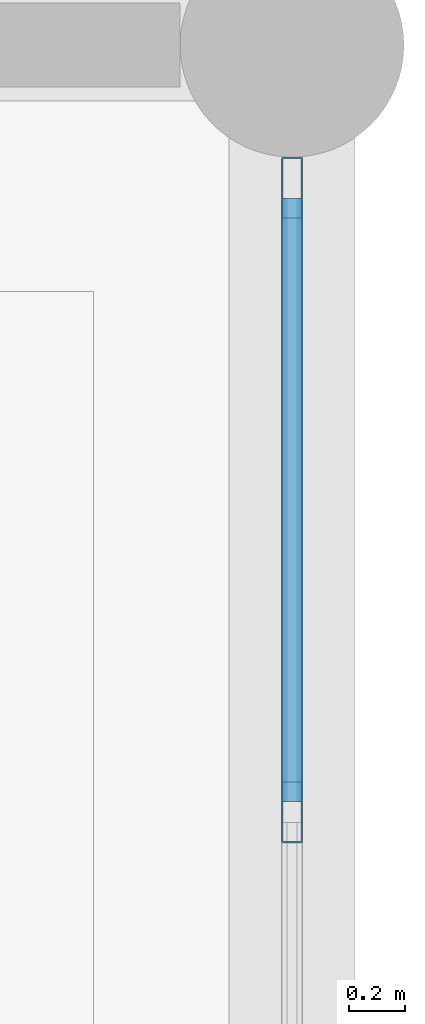
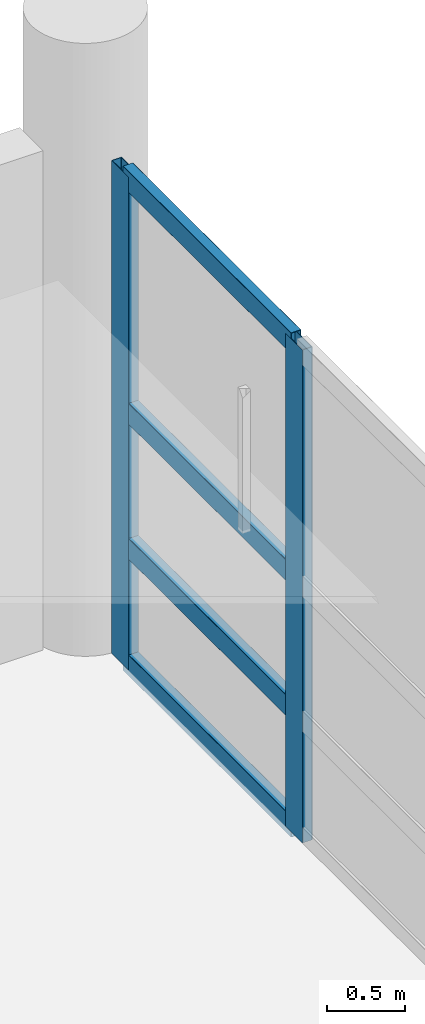
# One storey, part 71 of 141: 6 members, 1 element without a shape of its own.
"""IFC4 building model written with IfcOpenShell, lengths in metres."""

from ifc_helpers import new_model, si_unit, direction, frame, origin, origin_2d, place, context, subcontext, project, spatial, hollow_rectangle, extrude, material, material_profile, profile_set, type_object, element, aggregate, save


model = new_model("IFC4")

# Units and contexts
model_context = context("Model", 3, precision=1e-05, world=origin(), true_north=direction((0.0, 1.0)))
body_context = subcontext(model_context, "Body", "Model", "MODEL_VIEW")
ifc_project = project(units=[si_unit("LENGTHUNIT", "METRE"), si_unit("AREAUNIT", "SQUARE_METRE"), si_unit("VOLUMEUNIT", "CUBIC_METRE"), si_unit("PLANEANGLEUNIT", "RADIAN"), si_unit("MASSUNIT", "GRAM", prefix="KILO")], contexts=[model_context])

# Site, building, storey
site_placement = place(None, origin())
site = spatial("IfcSite", under=ifc_project, at=site_placement, CompositionType="ELEMENT")
building_placement = place(site_placement, origin())
building = spatial("IfcBuilding", under=site, at=building_placement, Name="Khelvaren Railside Concert Hall", CompositionType="ELEMENT")
storey_placement = place(building_placement, frame((0.0, 0.0, 10.199951171875)))
storey = spatial("IfcBuildingStorey", under=building, at=storey_placement, Name="L02", CompositionType="ELEMENT", Elevation=10.199951171875)

# Curtain wall, members
ifc_material_1 = material(Name="Triple-glazed solar-control glass", Category="glass")
curtain_wall_type = type_object("IfcCurtainWallType", Name="CW41", PredefinedType="USERDEFINED", material=ifc_material_1)
curtain_wall_placement = place(storey_placement, origin())
curtain_wall = element("IfcCurtainWall", 1, at=curtain_wall_placement, inside=storey, type_object=curtain_wall_type, Name="Unitised Curtain Wall CW-V5-L02-E-106", ObjectType="UNITISED CURTAIN WALL", PredefinedType="USERDEFINED")
ifc_material_2 = material(Name="Anodised architectural aluminium 6063-T6", Category="aluminium")
ifc_material_profile_1 = material_profile(ifc_material_2, hollow_rectangle(XDim=0.074951171875, YDim=0.219970703125, WallThickness=0.0048828125, InnerFilletRadius=0.0029296875, OuterFilletRadius=0.0048828125, at=origin_2d()), Name="CWM 75x220x5")
ifc_profile_set_1 = profile_set([ifc_material_profile_1], Name="Anodised architectural aluminium 6063-T6")
member_type_1 = type_object("IfcMemberType", Name="CWM13", PredefinedType="MULLION", material=ifc_profile_set_1)
member_1_placement = place(storey_placement, frame((184.0, 113.489990234375, 0.0), z_axis=(0.0, 0.0, 1.0), x_axis=(1.0, 0.0, 0.0)))
member_1 = element("IfcMember", 2, at=member_1_placement, type_object=member_type_1, Name="CW41 mullion 1", PredefinedType="MULLION", context=body_context, shape_type="SweptSolid", body=[
    extrude(hollow_rectangle(XDim=0.074951171875, YDim=0.219970703125, WallThickness=0.0048828125, InnerFilletRadius=0.0029296875, OuterFilletRadius=0.0048828125, at=origin_2d()), origin(), (0.0, 0.0, 1.0), 3.860107421875),
])
member_2_placement = place(storey_placement, frame((184.0, 111.25927734375, 0.0), z_axis=(0.0, 0.0, 1.0), x_axis=(1.0, 0.0, 0.0)))
member_2 = element("IfcMember", 3, at=member_2_placement, type_object=member_type_1, Name="CW41 mullion 2", PredefinedType="MULLION", context=body_context, shape_type="SweptSolid", body=[
    extrude(hollow_rectangle(XDim=0.074951171875, YDim=0.219970703125, WallThickness=0.0048828125, InnerFilletRadius=0.0029296875, OuterFilletRadius=0.0048828125, at=origin_2d()), origin(), (0.0, 0.0, 1.0), 3.860107421875),
])
ifc_material_profile_2 = material_profile(ifc_material_2, hollow_rectangle(XDim=0.074951171875, YDim=0.1650390625, WallThickness=0.00390625, InnerFilletRadius=0.001953125, OuterFilletRadius=0.00390625, at=origin_2d()), Name="CWT 75x165x4")
ifc_profile_set_2 = profile_set([ifc_material_profile_2], Name="Anodised architectural aluminium 6063-T6")
member_type_2 = type_object("IfcMemberType", Name="CWT46", PredefinedType="USERDEFINED", material=ifc_profile_set_2)
member_3_placement = place(storey_placement, frame((184.0, 113.452392578125, 0.03759765625), z_axis=(0.0, -1.0, 0.0), x_axis=(1.0, 0.0, 0.0)))
member_3 = element("IfcMember", 4, at=member_3_placement, type_object=member_type_2, Name="CW41 transom 1.1", ObjectType="TRANSOM", PredefinedType="USERDEFINED", context=body_context, shape_type="SweptSolid", body=[
    extrude(hollow_rectangle(XDim=0.074951171875, YDim=0.1650390625, WallThickness=0.00390625, InnerFilletRadius=0.001953125, OuterFilletRadius=0.00390625, at=origin_2d()), origin(), (0.0, 0.0, 1.0), 2.15576171875),
])
member_4_placement = place(storey_placement, frame((184.0, 113.452392578125, 0.949951171875), z_axis=(0.0, -1.0, 0.0), x_axis=(1.0, 0.0, 0.0)))
member_4 = element("IfcMember", 5, at=member_4_placement, type_object=member_type_2, Name="CW41 transom 1.2", ObjectType="TRANSOM", PredefinedType="USERDEFINED", context=body_context, shape_type="SweptSolid", body=[
    extrude(hollow_rectangle(XDim=0.074951171875, YDim=0.1650390625, WallThickness=0.00390625, InnerFilletRadius=0.001953125, OuterFilletRadius=0.00390625, at=origin_2d()), origin(), (0.0, 0.0, 1.0), 2.15576171875),
])
member_5_placement = place(storey_placement, frame((184.0, 113.452392578125, 2.00732421875), z_axis=(0.0, -1.0, 0.0), x_axis=(1.0, 0.0, 0.0)))
member_5 = element("IfcMember", 6, at=member_5_placement, type_object=member_type_2, Name="CW41 transom 1.3", ObjectType="TRANSOM", PredefinedType="USERDEFINED", context=body_context, shape_type="SweptSolid", body=[
    extrude(hollow_rectangle(XDim=0.074951171875, YDim=0.1650390625, WallThickness=0.00390625, InnerFilletRadius=0.001953125, OuterFilletRadius=0.00390625, at=origin_2d()), origin(), (0.0, 0.0, 1.0), 2.15576171875),
])
member_6_placement = place(storey_placement, frame((184.0, 113.452392578125, 3.822509765625), z_axis=(0.0, -1.0, 0.0), x_axis=(1.0, 0.0, 0.0)))
member_6 = element("IfcMember", 7, at=member_6_placement, type_object=member_type_2, Name="CW41 transom 1.4", ObjectType="TRANSOM", PredefinedType="USERDEFINED", context=body_context, shape_type="SweptSolid", body=[
    extrude(hollow_rectangle(XDim=0.074951171875, YDim=0.1650390625, WallThickness=0.00390625, InnerFilletRadius=0.001953125, OuterFilletRadius=0.00390625, at=origin_2d()), origin(), (0.0, 0.0, 1.0), 2.15576171875),
])
aggregate(curtain_wall, [member_1, member_2, member_3, member_4, member_5, member_6])

save(model, "model.ifc")
